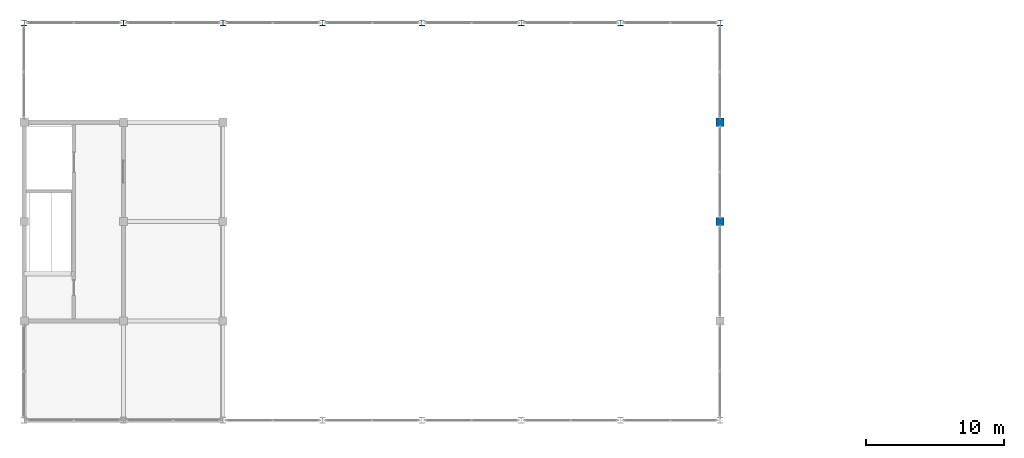
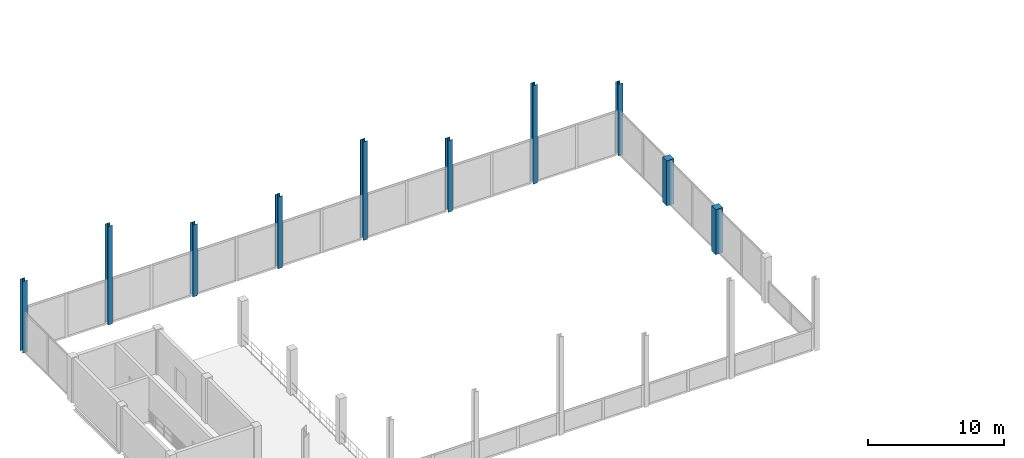
# One storey, part 4 of 51: 10 columns.
"""IFC4 building model written with IfcOpenShell, lengths in metres."""

from ifc_helpers import new_model, si_unit, direction, frame, origin, origin_2d, place, context, subcontext, project, spatial, rectangle, i_section, extrude, material, material_profile, profile_set, type_object, element, save


model = new_model("IFC4")

# Units and contexts
model_context = context("Model", 3, precision=1e-05, world=origin(), true_north=direction((0.0, 1.0)))
body_context = subcontext(model_context, "Body", "Model", "MODEL_VIEW")
ifc_project = project(units=[si_unit("LENGTHUNIT", "METRE"), si_unit("AREAUNIT", "SQUARE_METRE"), si_unit("VOLUMEUNIT", "CUBIC_METRE"), si_unit("PLANEANGLEUNIT", "RADIAN"), si_unit("MASSUNIT", "GRAM", prefix="KILO")], contexts=[model_context])

# Site, building, storey
site_placement = place(None, origin())
site = spatial("IfcSite", under=ifc_project, at=site_placement, CompositionType="ELEMENT")
building_placement = place(site_placement, origin())
building = spatial("IfcBuilding", under=site, at=building_placement, Name="Vesperath Aquatics Centre", CompositionType="ELEMENT")
storey_placement = place(building_placement, frame((0.0, 0.0, 15.0)))
storey = spatial("IfcBuildingStorey", under=building, at=storey_placement, Name="L03", CompositionType="ELEMENT", Elevation=15.0)

# Columns
ifc_material_1 = material(Name="Concrete C40", Category="concrete")
ifc_material_profile_1 = material_profile(ifc_material_1, rectangle(XDim=0.60009765625, YDim=0.60009765625, at=origin_2d()), Name="RC 600x600")
ifc_profile_set_1 = profile_set([ifc_material_profile_1], Name="Concrete C40")
column_type_1 = type_object("IfcColumnType", Name="CL-C06", PredefinedType="COLUMN", material=ifc_profile_set_1)
for number, where, z_axis, x_axis, name in (
    (1, (57.60009765625, 100.800048828125, 0.0), (0.0, 0.0, 1.0), (1.0, 0.0, 0.0), "Column C06 L03 9/Q"),
    (2, (57.60009765625, 108.0, 0.0), (0.0, 0.0, 1.0), (1.0, 0.0, 0.0), "Column C06 L03 9/R"),
):
    element("IfcColumn", number, at=place(storey_placement, frame(where, z_axis=z_axis, x_axis=x_axis)), inside=storey, type_object=column_type_1, Name=name, PredefinedType="COLUMN", context=body_context, shape_type="SweptSolid", body=[
        extrude(rectangle(XDim=0.60009765625, YDim=0.60009765625, at=origin_2d()), origin(), (0.0, 0.0, 1.0), 4.0400390625),
    ])
ifc_material_2 = material(Name="Steel Q355D", Category="steel")
ifc_material_profile_2 = material_profile(ifc_material_2, i_section(OverallWidth=0.39990234375, OverallDepth=0.39990234375, WebThickness=0.012939453125, FlangeThickness=0.02099609375, FilletRadius=0.02197265625, at=origin_2d()), Name="HW 400x400x13x21")
ifc_profile_set_2 = profile_set([ifc_material_profile_2], Name="Steel Q355D")
column_type_2 = type_object("IfcColumnType", Name="CL-C10", PredefinedType="COLUMN", material=ifc_profile_set_2)
column_1_placement = place(storey_placement, frame((7.199951171875, 115.199951171875, 0.0), z_axis=(0.0, 0.0, 1.0), x_axis=(1.0, 0.0, 0.0)))
element("IfcColumn", 3, at=column_1_placement, inside=storey, type_object=column_type_2, Name="Column C10 L03 2/S", PredefinedType="COLUMN", context=body_context, shape_type="SweptSolid", body=[
    extrude(i_section(OverallWidth=0.39990234375, OverallDepth=0.39990234375, WebThickness=0.012939453125, FlangeThickness=0.02099609375, FilletRadius=0.02197265625, at=origin_2d()), origin(), (0.0, 0.0, 1.0), 6.425048828125),
])
column_2_placement = place(storey_placement, frame((14.39990234375, 115.199951171875, 0.0), z_axis=(0.0, 0.0, 1.0), x_axis=(1.0, 0.0, 0.0)))
element("IfcColumn", 4, at=column_2_placement, inside=storey, type_object=column_type_2, Name="Column C10 L03 3/S", PredefinedType="COLUMN", context=body_context, shape_type="SweptSolid", body=[
    extrude(i_section(OverallWidth=0.39990234375, OverallDepth=0.39990234375, WebThickness=0.012939453125, FlangeThickness=0.02099609375, FilletRadius=0.02197265625, at=origin_2d()), origin(), (0.0, 0.0, 1.0), 8.824951171875),
])
for number, where, z_axis, x_axis, name in (
    (5, (21.60009765625, 115.199951171875, 0.0), (0.0, 0.0, 1.0), (1.0, 0.0, 0.0), "Column C10 L03 4/S"),
    (6, (28.800048828125, 115.199951171875, 0.0), (0.0, 0.0, 1.0), (1.0, 0.0, 0.0), "Column C10 L03 5/S"),
):
    element("IfcColumn", number, at=place(storey_placement, frame(where, z_axis=z_axis, x_axis=x_axis)), inside=storey, type_object=column_type_2, Name=name, PredefinedType="COLUMN", context=body_context, shape_type="SweptSolid", body=[
        extrude(i_section(OverallWidth=0.39990234375, OverallDepth=0.39990234375, WebThickness=0.012939453125, FlangeThickness=0.02099609375, FilletRadius=0.02197265625, at=origin_2d()), origin(), (0.0, 0.0, 1.0), 6.425048828125),
    ])
column_3_placement = place(storey_placement, frame((36.0, 115.199951171875, 0.0), z_axis=(0.0, 0.0, 1.0), x_axis=(1.0, 0.0, 0.0)))
element("IfcColumn", 7, at=column_3_placement, inside=storey, type_object=column_type_2, Name="Column C10 L03 6/S", PredefinedType="COLUMN", context=body_context, shape_type="SweptSolid", body=[
    extrude(i_section(OverallWidth=0.39990234375, OverallDepth=0.39990234375, WebThickness=0.012939453125, FlangeThickness=0.02099609375, FilletRadius=0.02197265625, at=origin_2d()), origin(), (0.0, 0.0, 1.0), 8.824951171875),
])
column_4_placement = place(storey_placement, frame((43.199951171875, 115.199951171875, 0.0), z_axis=(0.0, 0.0, 1.0), x_axis=(1.0, 0.0, 0.0)))
element("IfcColumn", 8, at=column_4_placement, inside=storey, type_object=column_type_2, Name="Column C10 L03 7/S", PredefinedType="COLUMN", context=body_context, shape_type="SweptSolid", body=[
    extrude(i_section(OverallWidth=0.39990234375, OverallDepth=0.39990234375, WebThickness=0.012939453125, FlangeThickness=0.02099609375, FilletRadius=0.02197265625, at=origin_2d()), origin(), (0.0, 0.0, 1.0), 6.425048828125),
])
column_5_placement = place(storey_placement, frame((50.39990234375, 115.199951171875, 0.0), z_axis=(0.0, 0.0, 1.0), x_axis=(1.0, 0.0, 0.0)))
element("IfcColumn", 9, at=column_5_placement, inside=storey, type_object=column_type_2, Name="Column C10 L03 8/S", PredefinedType="COLUMN", context=body_context, shape_type="SweptSolid", body=[
    extrude(i_section(OverallWidth=0.39990234375, OverallDepth=0.39990234375, WebThickness=0.012939453125, FlangeThickness=0.02099609375, FilletRadius=0.02197265625, at=origin_2d()), origin(), (0.0, 0.0, 1.0), 8.824951171875),
])
column_6_placement = place(storey_placement, frame((57.60009765625, 115.199951171875, 0.0), z_axis=(0.0, 0.0, 1.0), x_axis=(1.0, 0.0, 0.0)))
element("IfcColumn", 10, at=column_6_placement, inside=storey, type_object=column_type_2, Name="Column C10 L03 9/S", PredefinedType="COLUMN", context=body_context, shape_type="SweptSolid", body=[
    extrude(i_section(OverallWidth=0.39990234375, OverallDepth=0.39990234375, WebThickness=0.012939453125, FlangeThickness=0.02099609375, FilletRadius=0.02197265625, at=origin_2d()), origin(), (0.0, 0.0, 1.0), 6.425048828125),
])

save(model, "model.ifc")
